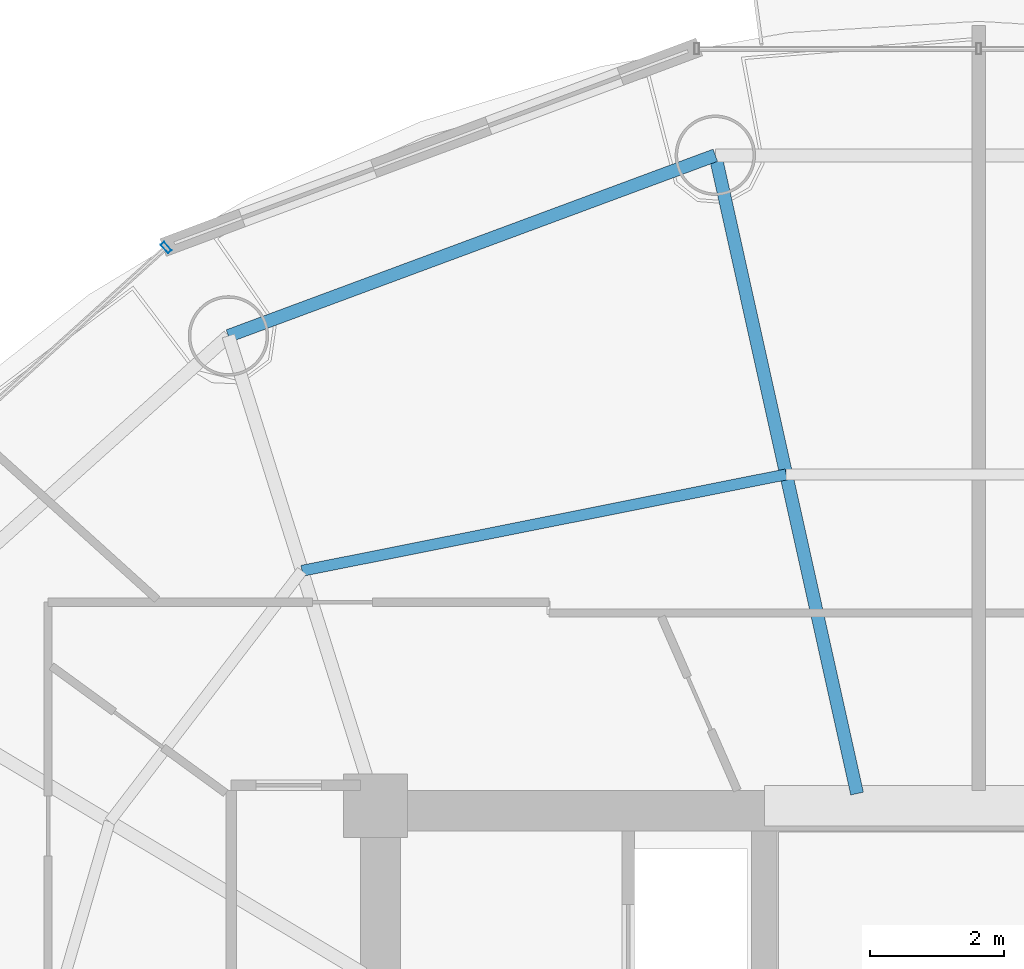
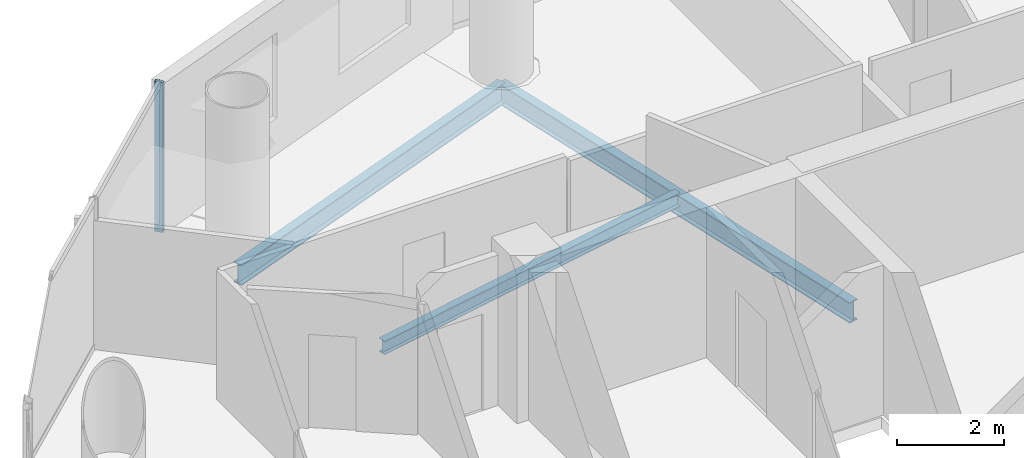
# One storey, part 15 of 27: 3 beams, 1 member, 1 element without a shape of its own.
"""IFC4 building model written with IfcOpenShell, lengths in metres."""

from ifc_helpers import new_model, si_unit, direction, frame, origin, origin_2d, place, context, subcontext, project, spatial, hollow_rectangle, i_section, extrude, source, transform, mapped, material, material_profile, profile_set, type_object, element, aggregate, save


model = new_model("IFC4")

# Units and contexts
model_context = context("Model", 3, precision=1e-05, world=origin(), true_north=direction((-0.2419218956, 0.970295726276)))
body_context = subcontext(model_context, "Body", "Model", "MODEL_VIEW")
ifc_project = project(units=[si_unit("LENGTHUNIT", "METRE"), si_unit("AREAUNIT", "SQUARE_METRE"), si_unit("VOLUMEUNIT", "CUBIC_METRE"), si_unit("PLANEANGLEUNIT", "RADIAN"), si_unit("MASSUNIT", "GRAM", prefix="KILO")], contexts=[model_context])

# Site, building, storey
site_placement = place(None, origin())
site = spatial("IfcSite", under=ifc_project, at=site_placement, CompositionType="ELEMENT")
building_placement = place(site_placement, origin())
building = spatial("IfcBuilding", under=site, at=building_placement, Name="Cobrevalo Terracotta Tower", CompositionType="ELEMENT")
storey_placement = place(building_placement, frame((0.0, 0.0, 191.199951171875)))
storey = spatial("IfcBuildingStorey", under=building, at=storey_placement, Name="L50", CompositionType="ELEMENT", Elevation=191.199951171875)

# Beams
ifc_material_1 = material(Name="Steel S355", Category="steel")
ifc_material_profile_1 = material_profile(ifc_material_1, i_section(OverallWidth=0.194091796875, OverallDepth=0.468994140625, WebThickness=0.011474609375, FlangeThickness=0.0205078125, at=origin_2d()), Name="W 460x106")
ifc_profile_set_1 = profile_set([ifc_material_profile_1], Name="Steel S355")
beam_type_1 = type_object("IfcBeamType", Name="Structural Beam W 460x106 (Steel S355)", PredefinedType="BEAM", material=ifc_profile_set_1)
beam_1_placement = place(storey_placement, frame((34.06884765625, 44.503173828125, -0.49951171875), z_axis=(0.216782061165, -0.976220025382, 0.0), x_axis=(0.976220025382, 0.216782061165, 0.0)))
element("IfcBeam", 1, at=beam_1_placement, inside=storey, type_object=beam_type_1, Name="L50 radial floor girder 05", PredefinedType="BEAM", context=body_context, shape_type="SweptSolid", body=[
    extrude(i_section(OverallWidth=0.194091796875, OverallDepth=0.468994140625, WebThickness=0.011474609375, FlangeThickness=0.0205078125, at=origin_2d()), origin(), (0.0, 0.0, 1.0), 9.755126953125),
])
ifc_material_profile_2 = material_profile(ifc_material_1, i_section(OverallWidth=0.1650390625, OverallDepth=0.31005859375, WebThickness=0.005859375, FlangeThickness=0.009765625, at=origin_2d()), Name="W 310x38.7")
ifc_profile_set_2 = profile_set([ifc_material_profile_2], Name="Steel S355")
beam_type_2 = type_object("IfcBeamType", Name="Structural Joist W 310x38.7 (Steel S355)", PredefinedType="JOIST", material=ifc_profile_set_2)
beam_2_placement = place(storey_placement, frame((35.126220703125, 39.74169921875, -0.419921875), z_axis=(-0.980762562197, -0.195204499418, 0.0), x_axis=(0.195204499418, -0.980762562197, 0.0)))
element("IfcBeam", 2, at=beam_2_placement, inside=storey, type_object=beam_type_2, Name="L50 circumferential secondary floor joist 05", PredefinedType="JOIST", context=body_context, shape_type="SweptSolid", body=[
    extrude(i_section(OverallWidth=0.1650390625, OverallDepth=0.31005859375, WebThickness=0.005859375, FlangeThickness=0.009765625, at=origin_2d()), origin(), (0.0, 0.0, 1.0), 7.365234375),
])
ifc_material_profile_3 = material_profile(ifc_material_1, i_section(OverallWidth=0.194091796875, OverallDepth=0.468994140625, WebThickness=0.011474609375, FlangeThickness=0.0205078125, at=origin_2d()), Name="W 460x106")
ifc_profile_set_3 = profile_set([ifc_material_profile_3], Name="Steel S355")
beam_type_3 = type_object("IfcBeamType", Name="Structural Spandrel W 460x106 (Steel S355)", PredefinedType="SPANDREL", material=ifc_profile_set_3)
beam_3_placement = place(storey_placement, frame((34.06884765625, 44.503173828125, -0.49951171875), z_axis=(-0.937545996665, -0.347861328892, 0.0), x_axis=(0.347861328892, -0.937545996665, 0.0)))
element("IfcBeam", 3, at=beam_3_placement, inside=storey, type_object=beam_type_3, Name="L50 perimeter ring spandrel 05", PredefinedType="SPANDREL", context=body_context, shape_type="SweptSolid", body=[
    extrude(i_section(OverallWidth=0.194091796875, OverallDepth=0.468994140625, WebThickness=0.011474609375, FlangeThickness=0.0205078125, at=origin_2d()), origin(), (0.0, 0.0, 1.0), 7.74755859375),
])

# Curtain wall, member
ifc_material_2 = material(Name="Anodized aluminium", Category="aluminium")
curtain_wall_type = type_object("IfcCurtainWallType", Name="Mid-tower high-wind unitised curtain wall CW-U2", PredefinedType="NOTDEFINED", material=ifc_material_2)
curtain_wall_placement = place(storey_placement, origin())
curtain_wall = element("IfcCurtainWall", 4, at=curtain_wall_placement, inside=storey, type_object=curtain_wall_type, Name="L50 curtain wall CW-L50-S06", PredefinedType="NOTDEFINED")
ifc_material_profile_4 = material_profile(ifc_material_2, hollow_rectangle(XDim=0.070068359375, YDim=0.169921875, WallThickness=0.00439453125, at=origin_2d()), Name="CWM 70x170")
ifc_profile_set_4 = profile_set([ifc_material_profile_4], Name="Anodized aluminium")
member_type = type_object("IfcMemberType", Name="Upper tower unitised mullion 70x170", PredefinedType="MULLION", material=ifc_profile_set_4)
shared_shape = source(origin(), body_context, "Body", "SweptSolid", [
    extrude(hollow_rectangle(XDim=0.070068359375, YDim=0.169921875, WallThickness=0.00439453125, at=origin_2d()), origin(), (0.0, 0.0, 1.0), 3.43505859375),
])
member_placement = place(storey_placement, frame((25.87548828125, 43.128173828125, 0.0), z_axis=(0.0, 0.0, 1.0), x_axis=(-0.741987542015, -0.670413668935, 0.0)))
member = element("IfcMember", 5, at=member_placement, type_object=member_type, Name="CW-L50-S06 vertical mullion 01", PredefinedType="MULLION", context=body_context, shape_type="MappedRepresentation", body=[
    mapped(shared_shape, transform((0.0, 0.0, 0.0), scale=1.0)),
])
aggregate(curtain_wall, [member])

save(model, "model.ifc")
